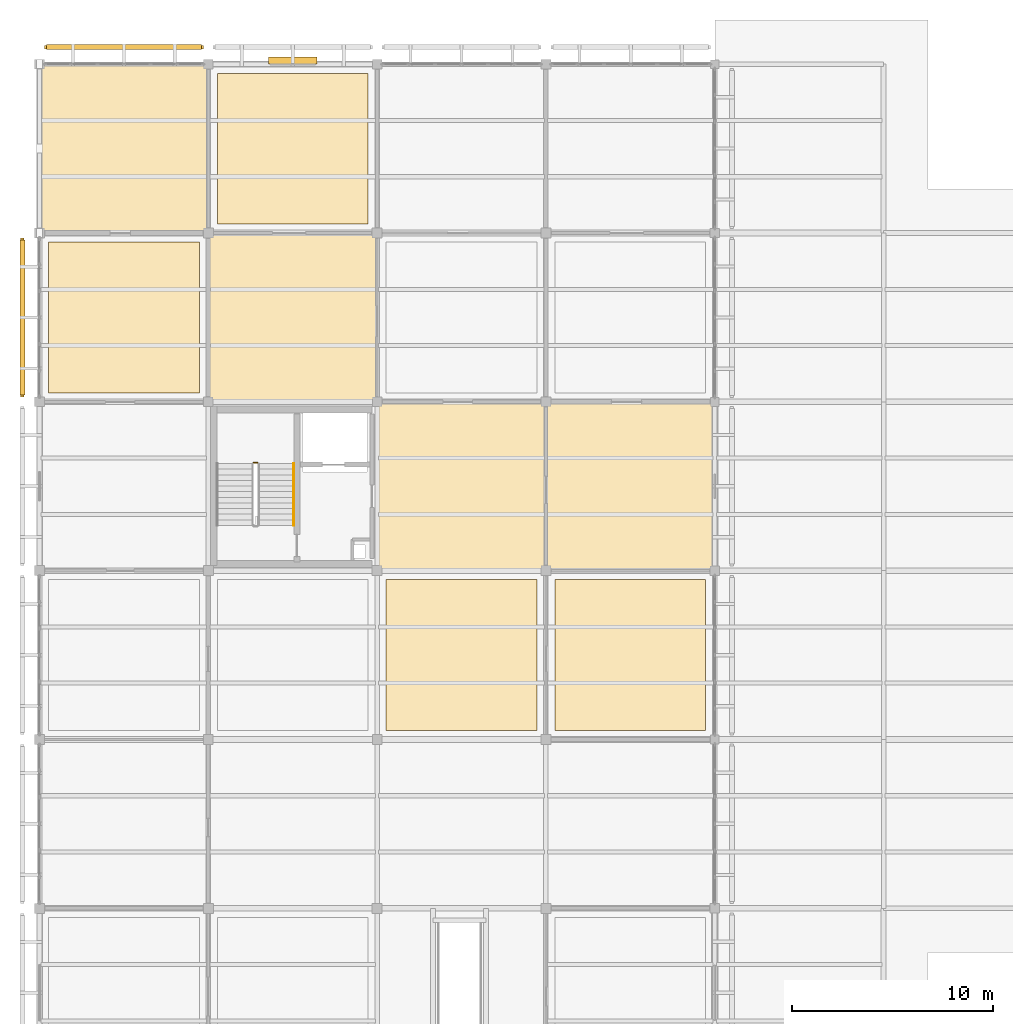
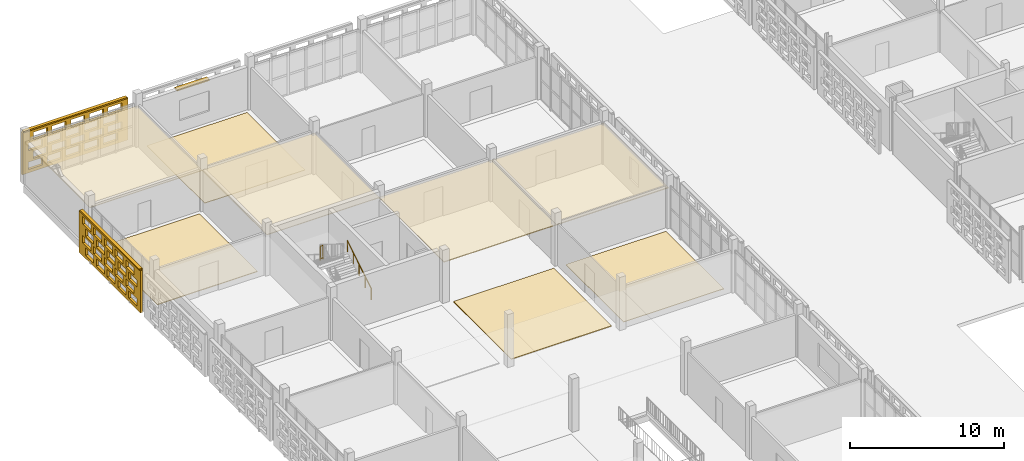
# One storey, part 134 of 166: 10 coverings, 3 shading devices, 2 railings, 40 openings.
"""IFC4 building model written with IfcOpenShell, lengths in metres."""

from ifc_helpers import new_model, si_unit, direction, frame, frame_2d, origin, origin_2d, place, context, subcontext, project, spatial, rectangle, circle, extrude, material, layer, layer_set, type_object, element, save


model = new_model("IFC4")

# Units and contexts
model_context = context("Model", 3, precision=1e-05, world=origin(), true_north=direction((0.0, 1.0)))
body_context = subcontext(model_context, "Body", "Model", "MODEL_VIEW")
ifc_project = project(units=[si_unit("LENGTHUNIT", "METRE"), si_unit("AREAUNIT", "SQUARE_METRE"), si_unit("VOLUMEUNIT", "CUBIC_METRE"), si_unit("PLANEANGLEUNIT", "RADIAN"), si_unit("MASSUNIT", "GRAM", prefix="KILO")], contexts=[model_context])

# Site, building, storey
site_placement = place(None, origin())
site = spatial("IfcSite", under=ifc_project, at=site_placement, CompositionType="ELEMENT")
building_placement = place(site_placement, origin())
building = spatial("IfcBuilding", under=site, at=building_placement, Name="Varnapada Polytechnic", CompositionType="ELEMENT")
storey_placement = place(building_placement, frame((0.0, 0.0, 9.60009765625)))
storey = spatial("IfcBuildingStorey", under=building, at=storey_placement, Name="L02", CompositionType="ELEMENT", Elevation=9.60009765625)

# Coverings
ifc_material_1 = material(Name="End-Grain Timber Studio Block Flooring", Category="wood")
ifc_layer_1 = layer(ifc_material_1, 0.054931640625)
ifc_layer_set_1 = layer_set([ifc_layer_1], Name="End-Grain Timber Studio Block Flooring")
covering_type_1 = type_object("IfcCoveringType", Name="Floor Finish FLR-04", PredefinedType="FLOORING", material=ifc_layer_set_1)
for number, where, z_axis, x_axis, name in (
    (1, (4.199951171875, 113.39990234375, 0.0), (0.0, 0.0, 1.0), (1.0, 0.0, 0.0), "L02 floor finish panel (1,14)"),
    (2, (21.0, 96.60009765625, 0.0), (0.0, 0.0, 1.0), (1.0, 0.0, 0.0), "L02 floor finish panel (3,12)"),
):
    element("IfcCovering", number, at=place(storey_placement, frame(where, z_axis=z_axis, x_axis=x_axis)), inside=storey, type_object=covering_type_1, Name=name, PredefinedType="FLOORING", context=body_context, shape_type="SweptSolid", body=[
        extrude(rectangle(XDim=7.5, YDim=7.5, at=origin_2d()), origin(), (0.0, 0.0, 1.0), 0.054931640625),
    ])
ifc_material_2 = material(Name="Acoustic Rubber Seminar Flooring")
ifc_layer_2 = layer(ifc_material_2, 0.0400390625)
ifc_layer_set_2 = layer_set([ifc_layer_2], Name="Acoustic Rubber Seminar Flooring")
covering_type_2 = type_object("IfcCoveringType", Name="Floor Finish FLR-06", PredefinedType="FLOORING", material=ifc_layer_set_2)
for number, where, z_axis, x_axis, name in (
    (3, (12.60009765625, 121.800048828125, 0.0), (0.0, 0.0, 1.0), (1.0, 0.0, 0.0), "L02 floor finish panel (2,15)"),
    (4, (29.39990234375, 96.60009765625, 0.0), (0.0, 0.0, 1.0), (1.0, 0.0, 0.0), "L02 floor finish panel (4,12)"),
):
    element("IfcCovering", number, at=place(storey_placement, frame(where, z_axis=z_axis, x_axis=x_axis)), inside=storey, type_object=covering_type_2, Name=name, PredefinedType="FLOORING", context=body_context, shape_type="SweptSolid", body=[
        extrude(rectangle(XDim=7.5, YDim=7.5, at=origin_2d()), origin(), (0.0, 0.0, 1.0), 0.0400390625),
    ])

# Shading device
ifc_material_3 = material(Name="Anodised aluminium", Category="aluminium")
ifc_layer_3 = layer(ifc_material_3, 0.35009765625)
ifc_layer_set_3 = layer_set([ifc_layer_3], Name="Anodised aluminium")
shading_device_type_1 = type_object("IfcShadingDeviceType", Name="Solar Louvre LVR-01", PredefinedType="JALOUSIE", material=ifc_layer_set_3)
shading_device_1_placement = place(storey_placement, frame((12.60009765625, 126.179931640625, 3.159912109375), z_axis=(0.0, 0.0, 1.0), x_axis=(1.0, 0.0, 0.0)))
element("IfcShadingDevice", 5, at=shading_device_1_placement, inside=storey, type_object=shading_device_type_1, Name="L02 aluminium sun louvre 19", PredefinedType="JALOUSIE", context=body_context, shape_type="SweptSolid", body=[
    extrude(rectangle(XDim=2.39990234375, YDim=0.340087890625, at=origin_2d()), origin(), (0.0, 0.0, 1.0), 0.1201171875),
])

# Railings
ifc_material_4 = material(Name="Brushed Stainless Steel 316", Category="steel")
railing_type_1 = type_object("IfcRailingType", Name="Stair Wall Handrail SHR-01", PredefinedType="HANDRAIL", material=ifc_material_4)
railing_1_placement = place(storey_placement, frame((12.64990234375, 103.050048828125, 0.1748046875)))
element("IfcRailing", 6, at=railing_1_placement, inside=storey, type_object=railing_type_1, Name="L02 ST-1 stair handrail 1", PredefinedType="HANDRAIL", context=body_context, shape_type="SweptSolid", body=[
    extrude(circle(Radius=0.02392578125, at=origin_2d()), frame((0.0, 0.0, 0.8759765625), z_axis=(0.0, 0.847979421464, 0.530029150871), x_axis=(-1.0, 0.0, 0.0)), (0.0, 0.0, 1.0), 3.632080078125),
    extrude(circle(Radius=0.02099609375, at=origin_2d()), origin(), (0.0, 0.0, 1.0), 0.851806640625),
    extrude(circle(Radius=0.02099609375, at=origin_2d()), frame((0.0, 0.77001953125, 0.481201171875)), (0.0, 0.0, 1.0), 0.851806640625),
    extrude(circle(Radius=0.02099609375, at=origin_2d()), frame((0.0, 1.5400390625, 0.96240234375)), (0.0, 0.0, 1.0), 0.851806640625),
    extrude(circle(Radius=0.02099609375, at=origin_2d()), frame((0.0, 2.309814453125, 1.44384765625)), (0.0, 0.0, 1.0), 0.851806640625),
    extrude(circle(Radius=0.02099609375, at=origin_2d()), frame((0.0, 3.079833984375, 1.925048828125)), (0.0, 0.0, 1.0), 0.851806640625),
])
railing_type_2 = type_object("IfcRailingType", Name="Stair Well Guard Rail SGR-01", PredefinedType="BALUSTRADE", material=ifc_material_4)
railing_2_placement = place(storey_placement, frame((10.85009765625, 106.179931640625, 2.099853515625)))
element("IfcRailing", 7, at=railing_2_placement, inside=storey, type_object=railing_type_2, Name="L02 ST-1 stair guard 2", PredefinedType="BALUSTRADE", context=body_context, shape_type="SweptSolid", body=[
    extrude(circle(Radius=0.02392578125, at=origin_2d()), frame((0.0, 0.0, 1.09619140625), z_axis=(-1.0, 0.0, 0.0), x_axis=(0.0, -1.0, 0.0)), (0.0, 0.0, 1.0), 0.2001953125),
    extrude(circle(Radius=0.02392578125, at=origin_2d()), frame((0.0, 0.0, 0.10009765625), z_axis=(-1.0, 0.0, 0.0), x_axis=(0.0, -1.0, 0.0)), (0.0, 0.0, 1.0), 0.2001953125),
    extrude(circle(Radius=0.02099609375, at=origin_2d()), origin(), (0.0, 0.0, 1.0), 1.072021484375),
    extrude(circle(Radius=0.02099609375, at=origin_2d()), frame((-0.2001953125, 0.0, 0.0)), (0.0, 0.0, 1.0), 1.072021484375),
])

# Coverings
ifc_material_5 = material(Name="Perforated Timber Slatted Baffle Ceiling", Category="wood")
ifc_layer_4 = layer(ifc_material_5, 0.050048828125)
ifc_layer_set_4 = layer_set([ifc_layer_4], Name="Perforated Timber Slatted Baffle Ceiling")
covering_type_3 = type_object("IfcCoveringType", Name="Suspended Ceiling CLG-02", PredefinedType="CEILING", material=ifc_layer_set_4)
covering_1_placement = place(storey_placement, frame((12.60009765625, 113.39990234375, 3.02490234375), z_axis=(0.0, 0.0, 1.0), x_axis=(1.0, 0.0, 0.0)))
element("IfcCovering", 8, at=covering_1_placement, inside=storey, type_object=covering_type_3, Name="L02 suspended acoustic ceiling (2,14)", PredefinedType="CEILING", context=body_context, shape_type="SweptSolid", body=[
    extrude(rectangle(XDim=8.419921875, YDim=8.419921875, at=origin_2d()), origin(), (0.0, 0.0, 1.0), 0.050048828125),
])
ifc_material_6 = material(Name="Micro-Perforated Gypsum Acoustic Ceiling")
ifc_layer_5 = layer(ifc_material_6, 0.044921875)
ifc_layer_set_5 = layer_set([ifc_layer_5], Name="Micro-Perforated Gypsum Acoustic Ceiling")
covering_type_4 = type_object("IfcCoveringType", Name="Suspended Ceiling CLG-04", PredefinedType="CEILING", material=ifc_layer_set_5)
covering_2_placement = place(storey_placement, frame((4.199951171875, 121.800048828125, 3.02734375), z_axis=(0.0, 0.0, 1.0), x_axis=(1.0, 0.0, 0.0)))
element("IfcCovering", 9, at=covering_2_placement, inside=storey, type_object=covering_type_4, Name="L02 suspended acoustic ceiling (1,15)", PredefinedType="CEILING", context=body_context, shape_type="SweptSolid", body=[
    extrude(rectangle(XDim=8.419921875, YDim=8.419921875, at=origin_2d()), origin(), (0.0, 0.0, 1.0), 0.044921875),
])
ifc_material_7 = material(Name="Deep Acoustic Auditorium Cloud Baffle")
ifc_layer_6 = layer(ifc_material_7, 0.06494140625)
ifc_layer_set_6 = layer_set([ifc_layer_6], Name="Deep Acoustic Auditorium Cloud Baffle")
covering_type_5 = type_object("IfcCoveringType", Name="Suspended Ceiling CLG-07", PredefinedType="CEILING", material=ifc_layer_set_6)
for number, where, z_axis, x_axis, name in (
    (10, (21.0, 105.0, 3.017333984375), (0.0, 0.0, 1.0), (1.0, 0.0, 0.0), "L02 suspended acoustic ceiling (3,13)"),
    (11, (29.39990234375, 105.0, 3.017333984375), (0.0, 0.0, 1.0), (1.0, 0.0, 0.0), "L02 suspended acoustic ceiling (4,13)"),
):
    element("IfcCovering", number, at=place(storey_placement, frame(where, z_axis=z_axis, x_axis=x_axis)), inside=storey, type_object=covering_type_5, Name=name, PredefinedType="CEILING", context=body_context, shape_type="SweptSolid", body=[
        extrude(rectangle(XDim=8.419921875, YDim=8.419921875, at=origin_2d()), origin(), (0.0, 0.0, 1.0), 0.06494140625),
    ])

# Covering, openings
ifc_material_8 = material(Name="Earth-toned architectural terracotta screen block", Category="masonry")
ifc_layer_7 = layer(ifc_material_8, 0.1201171875)
ifc_layer_set_7 = layer_set([ifc_layer_7], Name="Earth-toned architectural terracotta screen block")
covering_type_6 = type_object("IfcCoveringType", Name="Terracotta Screen Cladding CLD-01", PredefinedType="CLADDING", material=ifc_layer_set_7)
covering_3_placement = place(storey_placement, frame((-0.85009765625, 109.43994140625, 0.0), z_axis=(0.0, 0.0, 1.0), x_axis=(0.0, 1.0, 0.0)))
covering_3 = element("IfcCovering", 12, at=covering_3_placement, inside=storey, type_object=covering_type_6, Name="L02 perforated terracotta block screen (10)", PredefinedType="CLADDING", context=body_context, shape_type="SweptSolid", body=[
    extrude(rectangle(XDim=7.91015625, YDim=0.179931640625, at=frame_2d((3.955078125, 0.0))), origin(), (0.0, 0.0, 1.0), 3.31982421875),
])
opening_1_placement = place(covering_3_placement, frame((0.455078125, 0.0, 0.265625)))
element("IfcOpeningElement", 13, at=opening_1_placement, cuts=covering_3, Name="Screen perforation TBS-L02-009.1", PredefinedType="OPENING", context=body_context, shape_type="SweptSolid", body=[
    extrude(rectangle(XDim=1.0400390625, YDim=0.5810546875, at=frame_2d((0.52001953125, 0.29052734375))), frame((0.0, 0.099853515625, 0.0), z_axis=(0.0, -1.0, 0.0), x_axis=(1.0, 0.0, 0.0)), (0.0, 0.0, 1.0), 0.199951171875),
])
opening_2_placement = place(covering_3_placement, frame((1.85498046875, 0.0, 0.265625)))
element("IfcOpeningElement", 14, at=opening_2_placement, cuts=covering_3, Name="Screen perforation TBS-L02-009.2", PredefinedType="OPENING", context=body_context, shape_type="SweptSolid", body=[
    extrude(rectangle(XDim=1.0400390625, YDim=0.5810546875, at=frame_2d((0.52001953125, 0.29052734375))), frame((0.0, 0.099853515625, 0.0), z_axis=(0.0, -1.0, 0.0), x_axis=(1.0, 0.0, 0.0)), (0.0, 0.0, 1.0), 0.199951171875),
])
opening_3_placement = place(covering_3_placement, frame((3.2548828125, 0.0, 0.265625)))
element("IfcOpeningElement", 15, at=opening_3_placement, cuts=covering_3, Name="Screen perforation TBS-L02-009.3", PredefinedType="OPENING", context=body_context, shape_type="SweptSolid", body=[
    extrude(rectangle(XDim=1.0400390625, YDim=0.5810546875, at=frame_2d((0.52001953125, 0.29052734375))), frame((0.0, 0.099853515625, 0.0), z_axis=(0.0, -1.0, 0.0), x_axis=(1.0, 0.0, 0.0)), (0.0, 0.0, 1.0), 0.199951171875),
])
opening_4_placement = place(covering_3_placement, frame((4.655029296875, 0.0, 0.265625)))
element("IfcOpeningElement", 16, at=opening_4_placement, cuts=covering_3, Name="Screen perforation TBS-L02-009.4", PredefinedType="OPENING", context=body_context, shape_type="SweptSolid", body=[
    extrude(rectangle(XDim=1.0400390625, YDim=0.5810546875, at=frame_2d((0.52001953125, 0.29052734375))), frame((0.0, 0.099853515625, 0.0), z_axis=(0.0, -1.0, 0.0), x_axis=(1.0, 0.0, 0.0)), (0.0, 0.0, 1.0), 0.199951171875),
])
opening_5_placement = place(covering_3_placement, frame((6.054931640625, 0.0, 0.265625)))
element("IfcOpeningElement", 17, at=opening_5_placement, cuts=covering_3, Name="Screen perforation TBS-L02-009.5", PredefinedType="OPENING", context=body_context, shape_type="SweptSolid", body=[
    extrude(rectangle(XDim=1.0400390625, YDim=0.5810546875, at=frame_2d((0.52001953125, 0.29052734375))), frame((0.0, 0.099853515625, 0.0), z_axis=(0.0, -1.0, 0.0), x_axis=(1.0, 0.0, 0.0)), (0.0, 0.0, 1.0), 0.199951171875),
])
opening_6_placement = place(covering_3_placement, frame((0.81494140625, 0.0, 1.0126953125)))
element("IfcOpeningElement", 18, at=opening_6_placement, cuts=covering_3, Name="Screen perforation TBS-L02-009.6", PredefinedType="OPENING", context=body_context, shape_type="SweptSolid", body=[
    extrude(rectangle(XDim=1.0400390625, YDim=0.5810546875, at=frame_2d((0.52001953125, 0.29052734375))), frame((0.0, 0.099853515625, 0.0), z_axis=(0.0, -1.0, 0.0), x_axis=(1.0, 0.0, 0.0)), (0.0, 0.0, 1.0), 0.199951171875),
])
opening_7_placement = place(covering_3_placement, frame((2.215087890625, 0.0, 1.0126953125)))
element("IfcOpeningElement", 19, at=opening_7_placement, cuts=covering_3, Name="Screen perforation TBS-L02-009.7", PredefinedType="OPENING", context=body_context, shape_type="SweptSolid", body=[
    extrude(rectangle(XDim=1.0400390625, YDim=0.5810546875, at=frame_2d((0.52001953125, 0.29052734375))), frame((0.0, 0.099853515625, 0.0), z_axis=(0.0, -1.0, 0.0), x_axis=(1.0, 0.0, 0.0)), (0.0, 0.0, 1.0), 0.199951171875),
])
opening_8_placement = place(covering_3_placement, frame((3.614990234375, 0.0, 1.0126953125)))
element("IfcOpeningElement", 20, at=opening_8_placement, cuts=covering_3, Name="Screen perforation TBS-L02-009.8", PredefinedType="OPENING", context=body_context, shape_type="SweptSolid", body=[
    extrude(rectangle(XDim=1.0400390625, YDim=0.5810546875, at=frame_2d((0.52001953125, 0.29052734375))), frame((0.0, 0.099853515625, 0.0), z_axis=(0.0, -1.0, 0.0), x_axis=(1.0, 0.0, 0.0)), (0.0, 0.0, 1.0), 0.199951171875),
])
opening_9_placement = place(covering_3_placement, frame((5.014892578125, 0.0, 1.0126953125)))
element("IfcOpeningElement", 21, at=opening_9_placement, cuts=covering_3, Name="Screen perforation TBS-L02-009.9", PredefinedType="OPENING", context=body_context, shape_type="SweptSolid", body=[
    extrude(rectangle(XDim=1.0400390625, YDim=0.5810546875, at=frame_2d((0.52001953125, 0.29052734375))), frame((0.0, 0.099853515625, 0.0), z_axis=(0.0, -1.0, 0.0), x_axis=(1.0, 0.0, 0.0)), (0.0, 0.0, 1.0), 0.199951171875),
])
opening_10_placement = place(covering_3_placement, frame((6.4150390625, 0.0, 1.0126953125)))
element("IfcOpeningElement", 22, at=opening_10_placement, cuts=covering_3, Name="Screen perforation TBS-L02-009.10", PredefinedType="OPENING", context=body_context, shape_type="SweptSolid", body=[
    extrude(rectangle(XDim=1.0400390625, YDim=0.5810546875, at=frame_2d((0.52001953125, 0.29052734375))), frame((0.0, 0.099853515625, 0.0), z_axis=(0.0, -1.0, 0.0), x_axis=(1.0, 0.0, 0.0)), (0.0, 0.0, 1.0), 0.199951171875),
])
opening_11_placement = place(covering_3_placement, frame((0.455078125, 0.0, 1.759521484375)))
element("IfcOpeningElement", 23, at=opening_11_placement, cuts=covering_3, Name="Screen perforation TBS-L02-009.11", PredefinedType="OPENING", context=body_context, shape_type="SweptSolid", body=[
    extrude(rectangle(XDim=1.0400390625, YDim=0.5810546875, at=frame_2d((0.52001953125, 0.29052734375))), frame((0.0, 0.099853515625, 0.0), z_axis=(0.0, -1.0, 0.0), x_axis=(1.0, 0.0, 0.0)), (0.0, 0.0, 1.0), 0.199951171875),
])
opening_12_placement = place(covering_3_placement, frame((1.85498046875, 0.0, 1.759521484375)))
element("IfcOpeningElement", 24, at=opening_12_placement, cuts=covering_3, Name="Screen perforation TBS-L02-009.12", PredefinedType="OPENING", context=body_context, shape_type="SweptSolid", body=[
    extrude(rectangle(XDim=1.0400390625, YDim=0.5810546875, at=frame_2d((0.52001953125, 0.29052734375))), frame((0.0, 0.099853515625, 0.0), z_axis=(0.0, -1.0, 0.0), x_axis=(1.0, 0.0, 0.0)), (0.0, 0.0, 1.0), 0.199951171875),
])
opening_13_placement = place(covering_3_placement, frame((3.2548828125, 0.0, 1.759521484375)))
element("IfcOpeningElement", 25, at=opening_13_placement, cuts=covering_3, Name="Screen perforation TBS-L02-009.13", PredefinedType="OPENING", context=body_context, shape_type="SweptSolid", body=[
    extrude(rectangle(XDim=1.0400390625, YDim=0.5810546875, at=frame_2d((0.52001953125, 0.29052734375))), frame((0.0, 0.099853515625, 0.0), z_axis=(0.0, -1.0, 0.0), x_axis=(1.0, 0.0, 0.0)), (0.0, 0.0, 1.0), 0.199951171875),
])
opening_14_placement = place(covering_3_placement, frame((4.655029296875, 0.0, 1.759521484375)))
element("IfcOpeningElement", 26, at=opening_14_placement, cuts=covering_3, Name="Screen perforation TBS-L02-009.14", PredefinedType="OPENING", context=body_context, shape_type="SweptSolid", body=[
    extrude(rectangle(XDim=1.0400390625, YDim=0.5810546875, at=frame_2d((0.52001953125, 0.29052734375))), frame((0.0, 0.099853515625, 0.0), z_axis=(0.0, -1.0, 0.0), x_axis=(1.0, 0.0, 0.0)), (0.0, 0.0, 1.0), 0.199951171875),
])
opening_15_placement = place(covering_3_placement, frame((6.054931640625, 0.0, 1.759521484375)))
element("IfcOpeningElement", 27, at=opening_15_placement, cuts=covering_3, Name="Screen perforation TBS-L02-009.15", PredefinedType="OPENING", context=body_context, shape_type="SweptSolid", body=[
    extrude(rectangle(XDim=1.0400390625, YDim=0.5810546875, at=frame_2d((0.52001953125, 0.29052734375))), frame((0.0, 0.099853515625, 0.0), z_axis=(0.0, -1.0, 0.0), x_axis=(1.0, 0.0, 0.0)), (0.0, 0.0, 1.0), 0.199951171875),
])
opening_16_placement = place(covering_3_placement, frame((0.81494140625, 0.0, 2.506591796875)))
element("IfcOpeningElement", 28, at=opening_16_placement, cuts=covering_3, Name="Screen perforation TBS-L02-009.16", PredefinedType="OPENING", context=body_context, shape_type="SweptSolid", body=[
    extrude(rectangle(XDim=1.0400390625, YDim=0.5810546875, at=frame_2d((0.52001953125, 0.29052734375))), frame((0.0, 0.099853515625, 0.0), z_axis=(0.0, -1.0, 0.0), x_axis=(1.0, 0.0, 0.0)), (0.0, 0.0, 1.0), 0.199951171875),
])
opening_17_placement = place(covering_3_placement, frame((2.215087890625, 0.0, 2.506591796875)))
element("IfcOpeningElement", 29, at=opening_17_placement, cuts=covering_3, Name="Screen perforation TBS-L02-009.17", PredefinedType="OPENING", context=body_context, shape_type="SweptSolid", body=[
    extrude(rectangle(XDim=1.0400390625, YDim=0.5810546875, at=frame_2d((0.52001953125, 0.29052734375))), frame((0.0, 0.099853515625, 0.0), z_axis=(0.0, -1.0, 0.0), x_axis=(1.0, 0.0, 0.0)), (0.0, 0.0, 1.0), 0.199951171875),
])
opening_18_placement = place(covering_3_placement, frame((3.614990234375, 0.0, 2.506591796875)))
element("IfcOpeningElement", 30, at=opening_18_placement, cuts=covering_3, Name="Screen perforation TBS-L02-009.18", PredefinedType="OPENING", context=body_context, shape_type="SweptSolid", body=[
    extrude(rectangle(XDim=1.0400390625, YDim=0.5810546875, at=frame_2d((0.52001953125, 0.29052734375))), frame((0.0, 0.099853515625, 0.0), z_axis=(0.0, -1.0, 0.0), x_axis=(1.0, 0.0, 0.0)), (0.0, 0.0, 1.0), 0.199951171875),
])
opening_19_placement = place(covering_3_placement, frame((5.014892578125, 0.0, 2.506591796875)))
element("IfcOpeningElement", 31, at=opening_19_placement, cuts=covering_3, Name="Screen perforation TBS-L02-009.19", PredefinedType="OPENING", context=body_context, shape_type="SweptSolid", body=[
    extrude(rectangle(XDim=1.0400390625, YDim=0.5810546875, at=frame_2d((0.52001953125, 0.29052734375))), frame((0.0, 0.099853515625, 0.0), z_axis=(0.0, -1.0, 0.0), x_axis=(1.0, 0.0, 0.0)), (0.0, 0.0, 1.0), 0.199951171875),
])
opening_20_placement = place(covering_3_placement, frame((6.4150390625, 0.0, 2.506591796875)))
element("IfcOpeningElement", 32, at=opening_20_placement, cuts=covering_3, Name="Screen perforation TBS-L02-009.20", PredefinedType="OPENING", context=body_context, shape_type="SweptSolid", body=[
    extrude(rectangle(XDim=1.0400390625, YDim=0.5810546875, at=frame_2d((0.52001953125, 0.29052734375))), frame((0.0, 0.099853515625, 0.0), z_axis=(0.0, -1.0, 0.0), x_axis=(1.0, 0.0, 0.0)), (0.0, 0.0, 1.0), 0.199951171875),
])

covering_4_placement = place(storey_placement, frame((0.239990234375, 126.85009765625, 0.0), z_axis=(0.0, 0.0, 1.0), x_axis=(1.0, 0.0, 0.0)))
covering_4 = element("IfcCovering", 33, at=covering_4_placement, inside=storey, type_object=covering_type_6, Name="L02 perforated terracotta block screen (11)", PredefinedType="CLADDING", context=body_context, shape_type="SweptSolid", body=[
    extrude(rectangle(XDim=7.919921875, YDim=0.179931640625, at=frame_2d((3.9599609375, 0.0))), origin(), (0.0, 0.0, 1.0), 3.31982421875),
])
opening_21_placement = place(covering_4_placement, frame((0.4599609375, 0.0, 0.265625)))
element("IfcOpeningElement", 34, at=opening_21_placement, cuts=covering_4, Name="Screen perforation TBS-L02-010.1", PredefinedType="OPENING", context=body_context, shape_type="SweptSolid", body=[
    extrude(rectangle(XDim=1.0400390625, YDim=0.5810546875, at=frame_2d((0.52001953125, 0.29052734375))), frame((0.0, 0.099853515625, 0.0), z_axis=(0.0, -1.0, 0.0), x_axis=(1.0, 0.0, 0.0)), (0.0, 0.0, 1.0), 0.199951171875),
])
opening_22_placement = place(covering_4_placement, frame((1.860107421875, 0.0, 0.265625)))
element("IfcOpeningElement", 35, at=opening_22_placement, cuts=covering_4, Name="Screen perforation TBS-L02-010.2", PredefinedType="OPENING", context=body_context, shape_type="SweptSolid", body=[
    extrude(rectangle(XDim=1.0400390625, YDim=0.5810546875, at=frame_2d((0.52001953125, 0.29052734375))), frame((0.0, 0.099853515625, 0.0), z_axis=(0.0, -1.0, 0.0), x_axis=(1.0, 0.0, 0.0)), (0.0, 0.0, 1.0), 0.199951171875),
])
opening_23_placement = place(covering_4_placement, frame((3.260009765625, 0.0, 0.265625)))
element("IfcOpeningElement", 36, at=opening_23_placement, cuts=covering_4, Name="Screen perforation TBS-L02-010.3", PredefinedType="OPENING", context=body_context, shape_type="SweptSolid", body=[
    extrude(rectangle(XDim=1.0400390625, YDim=0.5810546875, at=frame_2d((0.52001953125, 0.29052734375))), frame((0.0, 0.099853515625, 0.0), z_axis=(0.0, -1.0, 0.0), x_axis=(1.0, 0.0, 0.0)), (0.0, 0.0, 1.0), 0.199951171875),
])
opening_24_placement = place(covering_4_placement, frame((4.659912109375, 0.0, 0.265625)))
element("IfcOpeningElement", 37, at=opening_24_placement, cuts=covering_4, Name="Screen perforation TBS-L02-010.4", PredefinedType="OPENING", context=body_context, shape_type="SweptSolid", body=[
    extrude(rectangle(XDim=1.0400390625, YDim=0.5810546875, at=frame_2d((0.52001953125, 0.29052734375))), frame((0.0, 0.099853515625, 0.0), z_axis=(0.0, -1.0, 0.0), x_axis=(1.0, 0.0, 0.0)), (0.0, 0.0, 1.0), 0.199951171875),
])
opening_25_placement = place(covering_4_placement, frame((6.06005859375, 0.0, 0.265625)))
element("IfcOpeningElement", 38, at=opening_25_placement, cuts=covering_4, Name="Screen perforation TBS-L02-010.5", PredefinedType="OPENING", context=body_context, shape_type="SweptSolid", body=[
    extrude(rectangle(XDim=1.0400390625, YDim=0.5810546875, at=frame_2d((0.52001953125, 0.29052734375))), frame((0.0, 0.099853515625, 0.0), z_axis=(0.0, -1.0, 0.0), x_axis=(1.0, 0.0, 0.0)), (0.0, 0.0, 1.0), 0.199951171875),
])
opening_26_placement = place(covering_4_placement, frame((0.820068359375, 0.0, 1.0126953125)))
element("IfcOpeningElement", 39, at=opening_26_placement, cuts=covering_4, Name="Screen perforation TBS-L02-010.6", PredefinedType="OPENING", context=body_context, shape_type="SweptSolid", body=[
    extrude(rectangle(XDim=1.0400390625, YDim=0.5810546875, at=frame_2d((0.52001953125, 0.29052734375))), frame((0.0, 0.099853515625, 0.0), z_axis=(0.0, -1.0, 0.0), x_axis=(1.0, 0.0, 0.0)), (0.0, 0.0, 1.0), 0.199951171875),
])
opening_27_placement = place(covering_4_placement, frame((2.219970703125, 0.0, 1.0126953125)))
element("IfcOpeningElement", 40, at=opening_27_placement, cuts=covering_4, Name="Screen perforation TBS-L02-010.7", PredefinedType="OPENING", context=body_context, shape_type="SweptSolid", body=[
    extrude(rectangle(XDim=1.0400390625, YDim=0.5810546875, at=frame_2d((0.52001953125, 0.29052734375))), frame((0.0, 0.099853515625, 0.0), z_axis=(0.0, -1.0, 0.0), x_axis=(1.0, 0.0, 0.0)), (0.0, 0.0, 1.0), 0.199951171875),
])
opening_28_placement = place(covering_4_placement, frame((3.6201171875, 0.0, 1.0126953125)))
element("IfcOpeningElement", 41, at=opening_28_placement, cuts=covering_4, Name="Screen perforation TBS-L02-010.8", PredefinedType="OPENING", context=body_context, shape_type="SweptSolid", body=[
    extrude(rectangle(XDim=1.0400390625, YDim=0.5810546875, at=frame_2d((0.52001953125, 0.29052734375))), frame((0.0, 0.099853515625, 0.0), z_axis=(0.0, -1.0, 0.0), x_axis=(1.0, 0.0, 0.0)), (0.0, 0.0, 1.0), 0.199951171875),
])
opening_29_placement = place(covering_4_placement, frame((5.02001953125, 0.0, 1.0126953125)))
element("IfcOpeningElement", 42, at=opening_29_placement, cuts=covering_4, Name="Screen perforation TBS-L02-010.9", PredefinedType="OPENING", context=body_context, shape_type="SweptSolid", body=[
    extrude(rectangle(XDim=1.0400390625, YDim=0.5810546875, at=frame_2d((0.52001953125, 0.29052734375))), frame((0.0, 0.099853515625, 0.0), z_axis=(0.0, -1.0, 0.0), x_axis=(1.0, 0.0, 0.0)), (0.0, 0.0, 1.0), 0.199951171875),
])
opening_30_placement = place(covering_4_placement, frame((6.419921875, 0.0, 1.0126953125)))
element("IfcOpeningElement", 43, at=opening_30_placement, cuts=covering_4, Name="Screen perforation TBS-L02-010.10", PredefinedType="OPENING", context=body_context, shape_type="SweptSolid", body=[
    extrude(rectangle(XDim=1.0400390625, YDim=0.5810546875, at=frame_2d((0.52001953125, 0.29052734375))), frame((0.0, 0.099853515625, 0.0), z_axis=(0.0, -1.0, 0.0), x_axis=(1.0, 0.0, 0.0)), (0.0, 0.0, 1.0), 0.199951171875),
])
opening_31_placement = place(covering_4_placement, frame((0.4599609375, 0.0, 1.759521484375)))
element("IfcOpeningElement", 44, at=opening_31_placement, cuts=covering_4, Name="Screen perforation TBS-L02-010.11", PredefinedType="OPENING", context=body_context, shape_type="SweptSolid", body=[
    extrude(rectangle(XDim=1.0400390625, YDim=0.5810546875, at=frame_2d((0.52001953125, 0.29052734375))), frame((0.0, 0.099853515625, 0.0), z_axis=(0.0, -1.0, 0.0), x_axis=(1.0, 0.0, 0.0)), (0.0, 0.0, 1.0), 0.199951171875),
])
opening_32_placement = place(covering_4_placement, frame((1.860107421875, 0.0, 1.759521484375)))
element("IfcOpeningElement", 45, at=opening_32_placement, cuts=covering_4, Name="Screen perforation TBS-L02-010.12", PredefinedType="OPENING", context=body_context, shape_type="SweptSolid", body=[
    extrude(rectangle(XDim=1.0400390625, YDim=0.5810546875, at=frame_2d((0.52001953125, 0.29052734375))), frame((0.0, 0.099853515625, 0.0), z_axis=(0.0, -1.0, 0.0), x_axis=(1.0, 0.0, 0.0)), (0.0, 0.0, 1.0), 0.199951171875),
])
opening_33_placement = place(covering_4_placement, frame((3.260009765625, 0.0, 1.759521484375)))
element("IfcOpeningElement", 46, at=opening_33_placement, cuts=covering_4, Name="Screen perforation TBS-L02-010.13", PredefinedType="OPENING", context=body_context, shape_type="SweptSolid", body=[
    extrude(rectangle(XDim=1.0400390625, YDim=0.5810546875, at=frame_2d((0.52001953125, 0.29052734375))), frame((0.0, 0.099853515625, 0.0), z_axis=(0.0, -1.0, 0.0), x_axis=(1.0, 0.0, 0.0)), (0.0, 0.0, 1.0), 0.199951171875),
])
opening_34_placement = place(covering_4_placement, frame((4.659912109375, 0.0, 1.759521484375)))
element("IfcOpeningElement", 47, at=opening_34_placement, cuts=covering_4, Name="Screen perforation TBS-L02-010.14", PredefinedType="OPENING", context=body_context, shape_type="SweptSolid", body=[
    extrude(rectangle(XDim=1.0400390625, YDim=0.5810546875, at=frame_2d((0.52001953125, 0.29052734375))), frame((0.0, 0.099853515625, 0.0), z_axis=(0.0, -1.0, 0.0), x_axis=(1.0, 0.0, 0.0)), (0.0, 0.0, 1.0), 0.199951171875),
])
opening_35_placement = place(covering_4_placement, frame((6.06005859375, 0.0, 1.759521484375)))
element("IfcOpeningElement", 48, at=opening_35_placement, cuts=covering_4, Name="Screen perforation TBS-L02-010.15", PredefinedType="OPENING", context=body_context, shape_type="SweptSolid", body=[
    extrude(rectangle(XDim=1.0400390625, YDim=0.5810546875, at=frame_2d((0.52001953125, 0.29052734375))), frame((0.0, 0.099853515625, 0.0), z_axis=(0.0, -1.0, 0.0), x_axis=(1.0, 0.0, 0.0)), (0.0, 0.0, 1.0), 0.199951171875),
])
opening_36_placement = place(covering_4_placement, frame((0.820068359375, 0.0, 2.506591796875)))
element("IfcOpeningElement", 49, at=opening_36_placement, cuts=covering_4, Name="Screen perforation TBS-L02-010.16", PredefinedType="OPENING", context=body_context, shape_type="SweptSolid", body=[
    extrude(rectangle(XDim=1.0400390625, YDim=0.5810546875, at=frame_2d((0.52001953125, 0.29052734375))), frame((0.0, 0.099853515625, 0.0), z_axis=(0.0, -1.0, 0.0), x_axis=(1.0, 0.0, 0.0)), (0.0, 0.0, 1.0), 0.199951171875),
])
opening_37_placement = place(covering_4_placement, frame((2.219970703125, 0.0, 2.506591796875)))
element("IfcOpeningElement", 50, at=opening_37_placement, cuts=covering_4, Name="Screen perforation TBS-L02-010.17", PredefinedType="OPENING", context=body_context, shape_type="SweptSolid", body=[
    extrude(rectangle(XDim=1.0400390625, YDim=0.5810546875, at=frame_2d((0.52001953125, 0.29052734375))), frame((0.0, 0.099853515625, 0.0), z_axis=(0.0, -1.0, 0.0), x_axis=(1.0, 0.0, 0.0)), (0.0, 0.0, 1.0), 0.199951171875),
])
opening_38_placement = place(covering_4_placement, frame((3.6201171875, 0.0, 2.506591796875)))
element("IfcOpeningElement", 51, at=opening_38_placement, cuts=covering_4, Name="Screen perforation TBS-L02-010.18", PredefinedType="OPENING", context=body_context, shape_type="SweptSolid", body=[
    extrude(rectangle(XDim=1.0400390625, YDim=0.5810546875, at=frame_2d((0.52001953125, 0.29052734375))), frame((0.0, 0.099853515625, 0.0), z_axis=(0.0, -1.0, 0.0), x_axis=(1.0, 0.0, 0.0)), (0.0, 0.0, 1.0), 0.199951171875),
])
opening_39_placement = place(covering_4_placement, frame((5.02001953125, 0.0, 2.506591796875)))
element("IfcOpeningElement", 52, at=opening_39_placement, cuts=covering_4, Name="Screen perforation TBS-L02-010.19", PredefinedType="OPENING", context=body_context, shape_type="SweptSolid", body=[
    extrude(rectangle(XDim=1.0400390625, YDim=0.5810546875, at=frame_2d((0.52001953125, 0.29052734375))), frame((0.0, 0.099853515625, 0.0), z_axis=(0.0, -1.0, 0.0), x_axis=(1.0, 0.0, 0.0)), (0.0, 0.0, 1.0), 0.199951171875),
])
opening_40_placement = place(covering_4_placement, frame((6.419921875, 0.0, 2.506591796875)))
element("IfcOpeningElement", 53, at=opening_40_placement, cuts=covering_4, Name="Screen perforation TBS-L02-010.20", PredefinedType="OPENING", context=body_context, shape_type="SweptSolid", body=[
    extrude(rectangle(XDim=1.0400390625, YDim=0.5810546875, at=frame_2d((0.52001953125, 0.29052734375))), frame((0.0, 0.099853515625, 0.0), z_axis=(0.0, -1.0, 0.0), x_axis=(1.0, 0.0, 0.0)), (0.0, 0.0, 1.0), 0.199951171875),
])

# Shading devices
ifc_layer_8 = layer(ifc_material_8, 0.179931640625)
ifc_layer_set_8 = layer_set([ifc_layer_8], Name="Earth-toned architectural terracotta screen block")
shading_device_type_2 = type_object("IfcShadingDeviceType", Name="Terracotta Screen SCR-01", PredefinedType="USERDEFINED", material=ifc_layer_set_8)
shading_device_2_placement = place(storey_placement, frame((-0.85009765625, 113.39501953125, 3.309814453125), z_axis=(0.0, 0.0, 1.0), x_axis=(0.0, 1.0, 0.0)))
element("IfcShadingDevice", 54, at=shading_device_2_placement, inside=storey, type_object=shading_device_type_2, Name="L02 perforated terracotta screen hood 240", ObjectType="SCREEN", PredefinedType="USERDEFINED", context=body_context, shape_type="SweptSolid", body=[
    extrude(rectangle(XDim=7.7099609375, YDim=0.239990234375, at=origin_2d()), origin(), (0.0, 0.0, 1.0), 0.10009765625),
])
shading_device_3_placement = place(storey_placement, frame((4.199951171875, 126.85009765625, 3.309814453125), z_axis=(0.0, 0.0, 1.0), x_axis=(1.0, 0.0, 0.0)))
element("IfcShadingDevice", 55, at=shading_device_3_placement, inside=storey, type_object=shading_device_type_2, Name="L02 perforated terracotta screen hood 241", ObjectType="SCREEN", PredefinedType="USERDEFINED", context=body_context, shape_type="SweptSolid", body=[
    extrude(rectangle(XDim=7.719970703125, YDim=0.239990234375, at=origin_2d()), origin(), (0.0, 0.0, 1.0), 0.10009765625),
])

save(model, "model.ifc")
